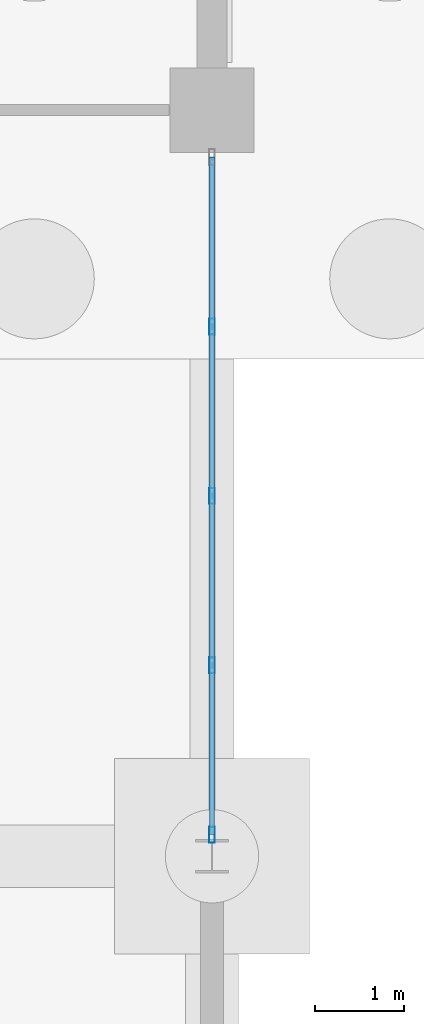
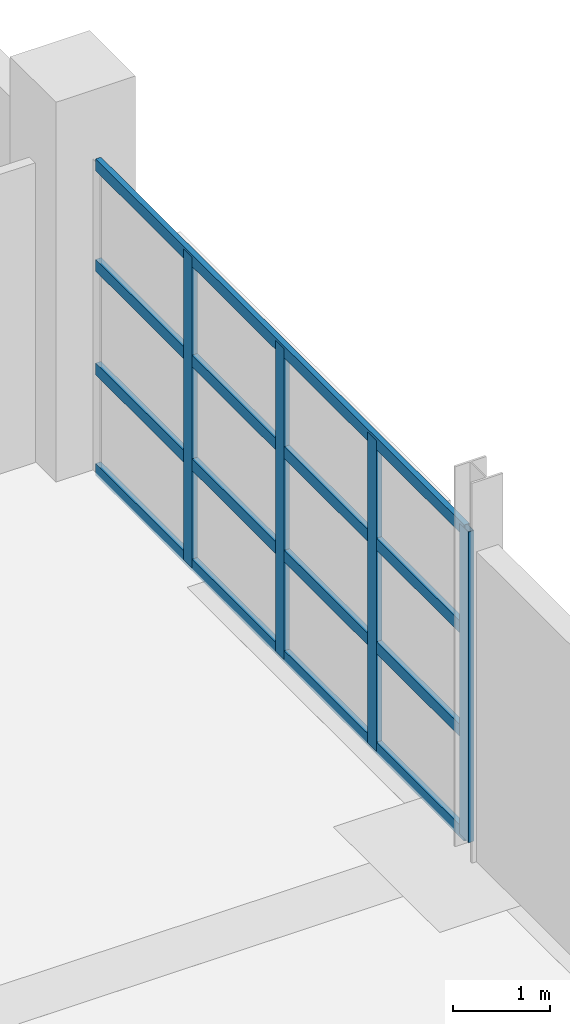
# One storey, part 24 of 82: 8 members, 1 element without a shape of its own.
"""IFC4 building model written with IfcOpenShell, lengths in metres."""

import ifcopenshell
import ifcopenshell.guid

model = None  # the IFC model being written
_history = None  # IfcOwnerHistory: only IFC2X3 demands one
_inside = {}  # id of a spatial element -> (the spatial element, [elements in it])
_under = {}  # id of a project, library or spatial element -> (it, [spatial elements below it])
_declared = {}  # id of a project -> (the project, [libraries it declares])
_typed = {}  # id of a type object -> (the type object, [elements of that type])
_made_of = {}  # id of a material, layer set ... -> (it, [elements and type objects made of it])


def new_model(schema):
    """Start an empty IFC model of exactly this schema.

    Asked for "IFC4X3", IfcOpenShell would pick the latest addendum, in which some entities
    have other attributes; the version numbers below select the first issue.
    IFC2X3 requires an IfcOwnerHistory on every rooted entity: one is made here for all.
    """
    global model, _history
    if schema == "IFC4X3":
        model = ifcopenshell.file(schema_version=(4, 3, 0, 0))
    else:
        model = ifcopenshell.file(schema=schema)
    _inside.clear()
    _under.clear()
    _declared.clear()
    _typed.clear()
    _made_of.clear()
    _history = None
    if model.schema == "IFC2X3":
        org = make("IfcOrganization", Name="unknown")
        user = make(
            "IfcPersonAndOrganization",
            ThePerson=make("IfcPerson", FamilyName="unknown"),
            TheOrganization=org,
        )
        app = make(
            "IfcApplication",
            ApplicationDeveloper=org,
            Version="unknown",
            ApplicationFullName="unknown",
            ApplicationIdentifier="unknown",
        )
        _history = make(
            "IfcOwnerHistory",
            OwningUser=user,
            OwningApplication=app,
            ChangeAction="ADDED",
            CreationDate=0,
        )
    return model


def make(cls, **values):
    """One entity of the class cls with the attributes given. An attribute that is None is left unset."""
    return model.create_entity(
        cls, **{name: value for name, value in values.items() if value is not None}
    )


def rooted(cls, **values):
    """An entity with a GlobalId (a new one), such as an element, a storey or a relation."""
    return make(cls, GlobalId=ifcopenshell.guid.new(), OwnerHistory=_history, **values)


def si_unit(unit_type, name, prefix=None):
    """IfcSIUnit, for example si_unit("LENGTHUNIT", "METRE", prefix="MILLI")."""
    return make("IfcSIUnit", UnitType=unit_type, Prefix=prefix, Name=name)


def assignment(units):
    """IfcUnitAssignment: the units of a project."""
    return None if units is None else make("IfcUnitAssignment", Units=units)


def point(xyz):
    """IfcCartesianPoint."""
    return None if xyz is None else make("IfcCartesianPoint", Coordinates=xyz)


def direction(xyz):
    """IfcDirection."""
    return None if xyz is None else make("IfcDirection", DirectionRatios=xyz)


def frame(location, z_axis=None, x_axis=None):
    """IfcAxis2Placement3D, a coordinate frame: its origin and axes. An axis left out is left unset."""
    return make(
        "IfcAxis2Placement3D",
        Location=point(location),
        Axis=direction(z_axis),
        RefDirection=direction(x_axis),
    )


def frame_2d(location, x_axis=None):
    """IfcAxis2Placement2D, a coordinate frame in the plane: its origin and x axis."""
    return make(
        "IfcAxis2Placement2D", Location=point(location), RefDirection=direction(x_axis)
    )


def origin():
    """The frame at (0, 0, 0) with its axes left unset."""
    return frame((0.0, 0.0, 0.0))


def origin_2d():
    """The frame at (0, 0) in the plane with its x axis left unset."""
    return frame_2d((0.0, 0.0))


def place(relative_to, where):
    """IfcLocalPlacement: puts the frame where relative to a parent placement (None: the world)."""
    return make(
        "IfcLocalPlacement", PlacementRelTo=relative_to, RelativePlacement=where
    )


def context(
    kind, dimensions, precision=None, world=None, true_north=None, identifier=None
):
    """IfcGeometricRepresentationContext, for example the 3D "Model" context."""
    return make(
        "IfcGeometricRepresentationContext",
        ContextIdentifier=identifier,
        ContextType=kind,
        CoordinateSpaceDimension=dimensions,
        Precision=precision,
        WorldCoordinateSystem=world,
        TrueNorth=true_north,
    )


def subcontext(parent, identifier, kind, view, scale=None):
    """IfcGeometricRepresentationSubContext, for example "Body" below "Model"."""
    return make(
        "IfcGeometricRepresentationSubContext",
        ContextIdentifier=identifier,
        ContextType=kind,
        ParentContext=parent,
        TargetScale=scale,
        TargetView=view,
    )


def project(units=None, contexts=None):
    """IfcProject with its units and contexts."""
    return rooted(
        "IfcProject",
        Name="project",
        RepresentationContexts=contexts,
        UnitsInContext=assignment(units),
    )


def spatial(cls, under=None, at=None, **own):
    """A site, building, storey or space (cls), placed at a placement, below another one or the project."""
    s = rooted(cls, ObjectPlacement=at, **own)
    if under is not None:
        _under.setdefault(under.id(), (under, []))[1].append(s)
    return s


def profile(cls, at=None, kind="AREA", **sizes):
    """A parametric profile (cls). Its sizes go by their IFC names, for example OverallWidth=200.0."""
    return make(cls, ProfileType=kind, Position=at, **sizes)


def hollow_rectangle(**sizes):
    """IfcRectangleHollowProfileDef."""
    return profile("IfcRectangleHollowProfileDef", **sizes)


def extrude(swept, where, along, depth):
    """IfcExtrudedAreaSolid: the profile swept, set in the frame where, extruded along a direction by depth."""
    return make(
        "IfcExtrudedAreaSolid",
        SweptArea=swept,
        Position=where,
        ExtrudedDirection=direction(along),
        Depth=depth,
    )


def shape(context_of_items, identifier, shape_type, items):
    """IfcShapeRepresentation: the items that make up one representation, for example the "Body"."""
    return make(
        "IfcShapeRepresentation",
        ContextOfItems=context_of_items,
        RepresentationIdentifier=identifier,
        RepresentationType=shape_type,
        Items=items,
    )


def material(Name=None, Category=None):
    """IfcMaterial."""
    return make("IfcMaterial", Name=Name, Category=Category)


def material_profile(
    of_material, cross_section, Name=None, Category=None, Priority=None
):
    """IfcMaterialProfile: a cross section and its material."""
    return make(
        "IfcMaterialProfile",
        Name=Name,
        Material=of_material,
        Profile=cross_section,
        Priority=Priority,
        Category=Category,
    )


def profile_set(profiles, Name=None, composite=None):
    """IfcMaterialProfileSet."""
    return make(
        "IfcMaterialProfileSet",
        Name=Name,
        MaterialProfiles=profiles,
        CompositeProfile=composite,
    )


def made_of(thing, what):
    """Note that an element or type object is made of a material, layer set ...; save() writes the relation."""
    if what is not None:
        _made_of.setdefault(what.id(), (what, []))[1].append(thing)
    return thing


def type_object(cls, material=None, **own):
    """A type object (cls), such as IfcWallType, which elements share."""
    return made_of(rooted(cls, **own), material)


def element(
    cls,
    number,
    at=None,
    inside=None,
    cuts=None,
    type_object=None,
    material=None,
    context=None,
    identifier="Body",
    shape_type=None,
    held_by="IfcProductDefinitionShape",
    body=None,
    shapes=None,
    **own,
):
    """One element of the class cls, such as IfcWall. Its Tag is "e" and its number.

    at: its placement. inside: the storey or other place that contains it. cuts: it is an
    opening in that element (IfcRelVoidsElement). A single representation is given by context,
    identifier, shape_type and body (its items); several are given by shapes. held_by: the class
    of the entity that holds the representations. save() writes the other relations.
    """
    e = rooted(cls, Tag="e%d" % number, ObjectPlacement=at, **own)
    if body is not None:
        shapes = [shape(context, identifier, shape_type, body)]
    if shapes is not None:
        e.Representation = make(held_by, Representations=shapes)
    if inside is not None:
        _inside.setdefault(inside.id(), (inside, []))[1].append(e)
    if cuts is not None:
        rooted(
            "IfcRelVoidsElement", RelatingBuildingElement=cuts, RelatedOpeningElement=e
        )
    if type_object is not None:
        _typed.setdefault(type_object.id(), (type_object, []))[1].append(e)
    return made_of(e, material)


def aggregate(whole, parts):
    """IfcRelAggregates: a whole, such as a stair, and the parts it consists of."""
    return rooted("IfcRelAggregates", RelatingObject=whole, RelatedObjects=parts)


def save(model, path):
    """Write the relations noted so far, then the file.

    IfcRelAggregates (storeys below a building ...), IfcRelContainedInSpatialStructure (elements
    in a storey), IfcRelDefinesByType, IfcRelAssociatesMaterial and IfcRelDeclares: one each for
    every whole, place, type object, material and project.
    """
    for whole, parts in _under.values():
        aggregate(whole, parts)
    for where, things in _inside.values():
        rooted(
            "IfcRelContainedInSpatialStructure",
            RelatedElements=things,
            RelatingStructure=where,
        )
    for kind, things in _typed.values():
        rooted("IfcRelDefinesByType", RelatedObjects=things, RelatingType=kind)
    for what, things in _made_of.values():
        rooted("IfcRelAssociatesMaterial", RelatedObjects=things, RelatingMaterial=what)
    for by, libraries in _declared.values():
        rooted("IfcRelDeclares", RelatingContext=by, RelatedDefinitions=libraries)
    model.write(path)


model = new_model("IFC4")

# Units and contexts
model_context = context("Model", 3, precision=1e-05, world=origin(), true_north=direction((0.0, 1.0)))
body_context = subcontext(model_context, "Body", "Model", "MODEL_VIEW")
ifc_project = project(units=[si_unit("LENGTHUNIT", "METRE"), si_unit("AREAUNIT", "SQUARE_METRE"), si_unit("VOLUMEUNIT", "CUBIC_METRE"), si_unit("PLANEANGLEUNIT", "RADIAN"), si_unit("MASSUNIT", "GRAM", prefix="KILO")], contexts=[model_context])

# Site, building, storey
site_placement = place(None, origin())
site = spatial("IfcSite", under=ifc_project, at=site_placement, CompositionType="ELEMENT")
building_placement = place(site_placement, origin())
building = spatial("IfcBuilding", under=site, at=building_placement, Name="Kelmvaro Bay Concert Hall", CompositionType="ELEMENT")
storey_placement = place(building_placement, origin())
storey = spatial("IfcBuildingStorey", under=building, at=storey_placement, Name="L00", CompositionType="ELEMENT", Elevation=0.0)

# Curtain wall, members
ifc_material_1 = material(Name="Anodised Aluminium and Low-E Insulated Glazing", Category="aluminium")
curtain_wall_type = type_object("IfcCurtainWallType", Name="West Link Courtyard Curtain Wall 4000", PredefinedType="USERDEFINED", material=ifc_material_1)
curtain_wall_placement = place(storey_placement, origin())
curtain_wall = element("IfcCurtainWall", 1, at=curtain_wall_placement, inside=storey, type_object=curtain_wall_type, Name="Unitised Curtain Wall CW-L00-128", ObjectType="UNITISED GLAZING", PredefinedType="USERDEFINED")
ifc_material_2 = material(Name="Anodised Extruded Aluminium 6063-T6", Category="aluminium")
ifc_material_profile_1 = material_profile(ifc_material_2, hollow_rectangle(XDim=0.06494140625, YDim=0.179931640625, WallThickness=0.00390625, at=origin_2d()), Name="ALU-MUL-180X65")
ifc_profile_set_1 = profile_set([ifc_material_profile_1], Name="Anodised Extruded Aluminium 6063-T6")
member_type_1 = type_object("IfcMemberType", Name="Curtain Mullion ALU 180x65", PredefinedType="MULLION", material=ifc_profile_set_1)
member_1_placement = place(storey_placement, frame((60.0, 62.962890625, 0.0), z_axis=(0.0, 0.0, 1.0), x_axis=(1.0, 0.0, 0.0)))
member_1 = element("IfcMember", 2, at=member_1_placement, type_object=member_type_1, Name="CW-L00-128 Mullion 02", PredefinedType="MULLION", context=body_context, shape_type="SweptSolid", body=[
    extrude(hollow_rectangle(XDim=0.06494140625, YDim=0.179931640625, WallThickness=0.00390625, at=origin_2d()), origin(), (0.0, 0.0, 1.0), 3.927978515625),
])
member_2_placement = place(storey_placement, frame((60.0, 61.055908203125, 0.0), z_axis=(0.0, 0.0, 1.0), x_axis=(1.0, 0.0, 0.0)))
member_2 = element("IfcMember", 3, at=member_2_placement, type_object=member_type_1, Name="CW-L00-128 Mullion 03", PredefinedType="MULLION", context=body_context, shape_type="SweptSolid", body=[
    extrude(hollow_rectangle(XDim=0.06494140625, YDim=0.179931640625, WallThickness=0.00390625, at=origin_2d()), origin(), (0.0, 0.0, 1.0), 3.927978515625),
])
member_3_placement = place(storey_placement, frame((60.0, 59.148681640625, 0.0), z_axis=(0.0, 0.0, 1.0), x_axis=(1.0, 0.0, 0.0)))
member_3 = element("IfcMember", 4, at=member_3_placement, type_object=member_type_1, Name="CW-L00-128 Mullion 04", PredefinedType="MULLION", context=body_context, shape_type="SweptSolid", body=[
    extrude(hollow_rectangle(XDim=0.06494140625, YDim=0.179931640625, WallThickness=0.00390625, at=origin_2d()), origin(), (0.0, 0.0, 1.0), 3.927978515625),
])
member_4_placement = place(storey_placement, frame((60.0, 57.241455078125, 0.0), z_axis=(0.0, 0.0, 1.0), x_axis=(1.0, 0.0, 0.0)))
member_4 = element("IfcMember", 5, at=member_4_placement, type_object=member_type_1, Name="CW-L00-128 Mullion 05", PredefinedType="MULLION", context=body_context, shape_type="SweptSolid", body=[
    extrude(hollow_rectangle(XDim=0.06494140625, YDim=0.179931640625, WallThickness=0.00390625, at=origin_2d()), origin(), (0.0, 0.0, 1.0), 3.927978515625),
])
ifc_material_3 = material(Name="Anodised Extruded Aluminium 6063-T6", Category="aluminium")
ifc_material_profile_2 = material_profile(ifc_material_3, hollow_rectangle(XDim=0.06494140625, YDim=0.14990234375, WallThickness=0.00390625, at=origin_2d()), Name="ALU-TRN-150X65")
ifc_profile_set_2 = profile_set([ifc_material_profile_2], Name="Anodised Extruded Aluminium 6063-T6")
member_type_2 = type_object("IfcMemberType", Name="Curtain Transom ALU 150x65", PredefinedType="USERDEFINED", material=ifc_profile_set_2)
member_5_placement = place(storey_placement, frame((60.0, 64.8701171875, 0.0400390625), z_axis=(0.0, -1.0, 0.0), x_axis=(1.0, 0.0, 0.0)))
member_5 = element("IfcMember", 6, at=member_5_placement, type_object=member_type_2, Name="CW-L00-128 Transom 01", ObjectType="TRANSOM", PredefinedType="USERDEFINED", context=body_context, shape_type="SweptSolid", body=[
    extrude(hollow_rectangle(XDim=0.06494140625, YDim=0.14990234375, WallThickness=0.00390625, at=origin_2d()), origin(), (0.0, 0.0, 1.0), 7.628662109375),
])
member_6_placement = place(storey_placement, frame((60.0, 64.8701171875, 1.309326171875), z_axis=(0.0, -1.0, 0.0), x_axis=(1.0, 0.0, 0.0)))
member_6 = element("IfcMember", 7, at=member_6_placement, type_object=member_type_2, Name="CW-L00-128 Transom 02", ObjectType="TRANSOM", PredefinedType="USERDEFINED", context=body_context, shape_type="SweptSolid", body=[
    extrude(hollow_rectangle(XDim=0.06494140625, YDim=0.14990234375, WallThickness=0.00390625, at=origin_2d()), origin(), (0.0, 0.0, 1.0), 7.628662109375),
])
member_7_placement = place(storey_placement, frame((60.0, 64.8701171875, 2.61865234375), z_axis=(0.0, -1.0, 0.0), x_axis=(1.0, 0.0, 0.0)))
member_7 = element("IfcMember", 8, at=member_7_placement, type_object=member_type_2, Name="CW-L00-128 Transom 03", ObjectType="TRANSOM", PredefinedType="USERDEFINED", context=body_context, shape_type="SweptSolid", body=[
    extrude(hollow_rectangle(XDim=0.06494140625, YDim=0.14990234375, WallThickness=0.00390625, at=origin_2d()), origin(), (0.0, 0.0, 1.0), 7.628662109375),
])
member_8_placement = place(storey_placement, frame((60.0, 64.8701171875, 3.887939453125), z_axis=(0.0, -1.0, 0.0), x_axis=(1.0, 0.0, 0.0)))
member_8 = element("IfcMember", 9, at=member_8_placement, type_object=member_type_2, Name="CW-L00-128 Transom 04", ObjectType="TRANSOM", PredefinedType="USERDEFINED", context=body_context, shape_type="SweptSolid", body=[
    extrude(hollow_rectangle(XDim=0.06494140625, YDim=0.14990234375, WallThickness=0.00390625, at=origin_2d()), origin(), (0.0, 0.0, 1.0), 7.628662109375),
])
aggregate(curtain_wall, [member_1, member_2, member_3, member_4, member_5, member_6, member_7, member_8])

save(model, "model.ifc")
